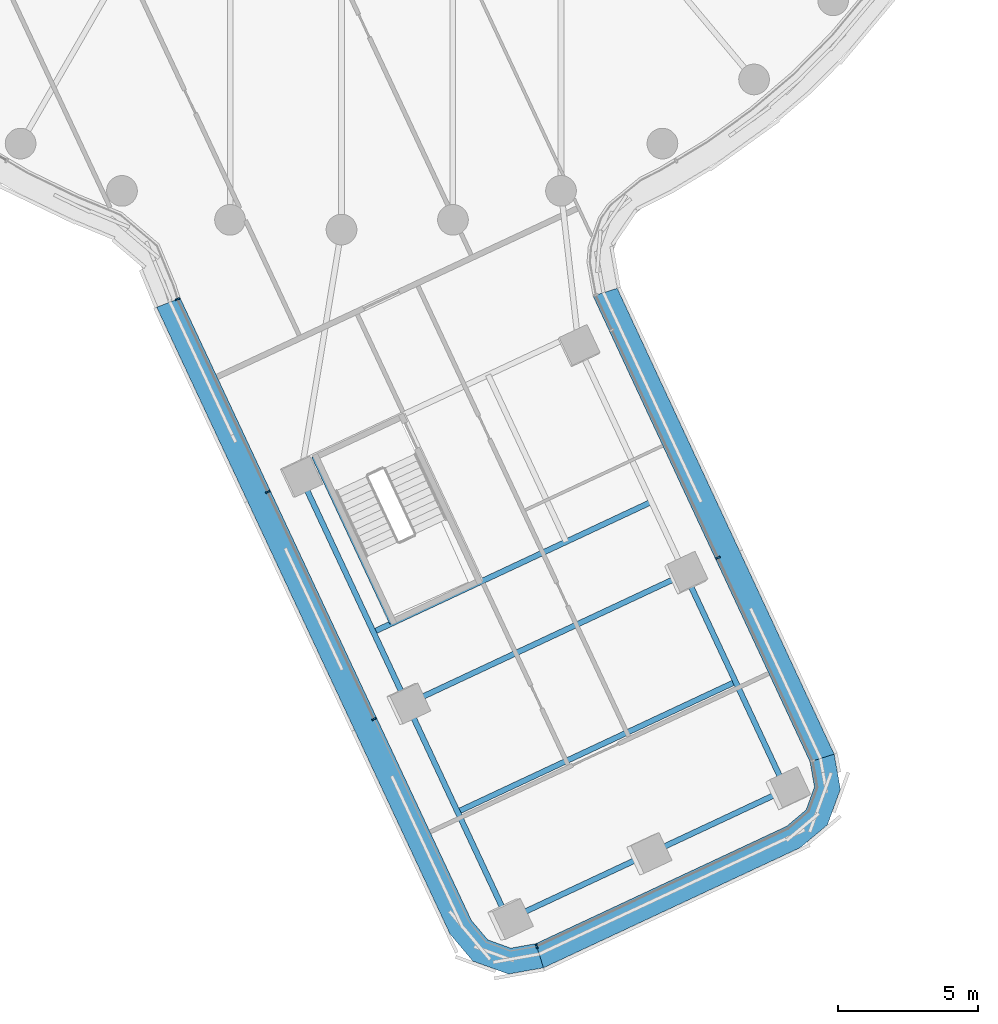
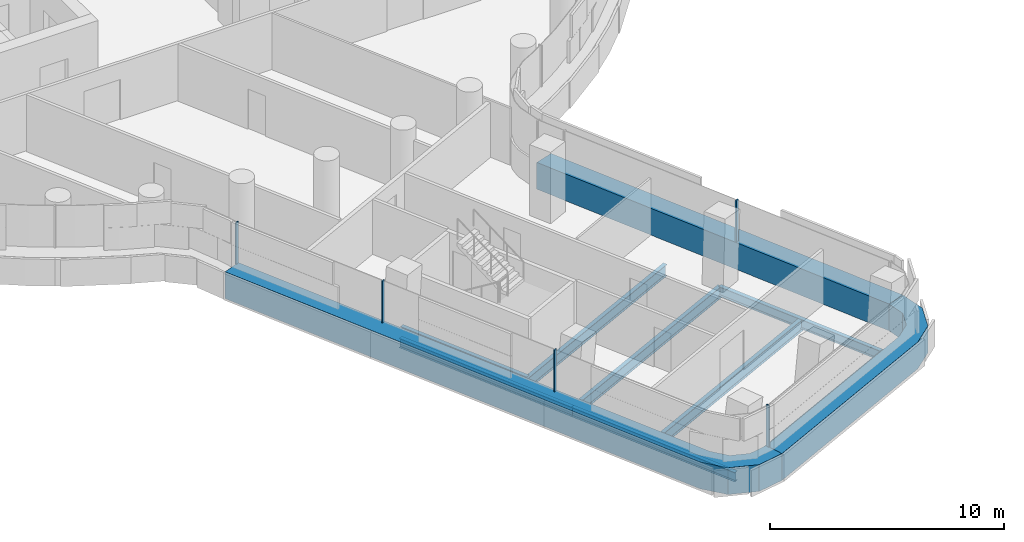
# One storey, part 3 of 36: 9 beams, 8 members, 3 elements without a shape of their own.
"""IFC4 building model written with IfcOpenShell, lengths in metres."""

from ifc_helpers import new_model, si_unit, direction, frame, origin, origin_2d, place, context, subcontext, project, spatial, polyline, rectangle, i_section, outline, extrude, material, layer, layer_set, material_profile, profile_set, type_object, element, aggregate, save


model = new_model("IFC4")

# Units and contexts
model_context = context("Model", 3, precision=1e-05, world=origin(), true_north=direction((0.0, 1.0)))
body_context = subcontext(model_context, "Body", "Model", "MODEL_VIEW")
ifc_project = project(units=[si_unit("LENGTHUNIT", "METRE"), si_unit("AREAUNIT", "SQUARE_METRE"), si_unit("VOLUMEUNIT", "CUBIC_METRE"), si_unit("PLANEANGLEUNIT", "RADIAN"), si_unit("MASSUNIT", "GRAM", prefix="KILO")], contexts=[model_context])

# Site, building, storey
site_placement = place(None, origin())
site = spatial("IfcSite", under=ifc_project, at=site_placement, CompositionType="ELEMENT")
building_placement = place(site_placement, origin())
building = spatial("IfcBuilding", under=site, at=building_placement, Name="Tamarind Cross Interchange Tower", CompositionType="ELEMENT")
storey_placement = place(building_placement, frame((0.0, 0.0, 124.75)))
storey = spatial("IfcBuildingStorey", under=building, at=storey_placement, Name="L30", CompositionType="ELEMENT", Elevation=124.75)

# Beams
ifc_material_1 = material(Name="Steel Q355B", Category="steel")
ifc_material_profile_1 = material_profile(ifc_material_1, i_section(OverallWidth=0.198974609375, OverallDepth=0.49609375, WebThickness=0.009033203125, FlangeThickness=0.013916015625, FilletRadius=0.012939453125, at=origin_2d()), Name="HN 496x199x9x14")
ifc_profile_set_1 = profile_set([ifc_material_profile_1], Name="Steel Q355B")
beam_type_1 = type_object("IfcBeamType", Name="Composite beam HN 496x199x9x14 Q355B", PredefinedType="BEAM", material=ifc_profile_set_1)
beam_1_placement = place(storey_placement, frame((5.966796875, -47.72998046875, -0.387939453125), z_axis=(-0.423785815014, 0.905762431873, 0.0), x_axis=(-0.905762431873, -0.423785815014, 0.0)))
element("IfcBeam", 1, at=beam_1_placement, inside=storey, type_object=beam_type_1, Name="Beam S-edgeem5", PredefinedType="BEAM", context=body_context, shape_type="SweptSolid", body=[
    extrude(i_section(OverallWidth=0.198974609375, OverallDepth=0.49609375, WebThickness=0.009033203125, FlangeThickness=0.013916015625, FilletRadius=0.012939453125, at=origin_2d()), origin(), (0.0, 0.0, 1.0), 8.53369140625),
])
beam_2_placement = place(storey_placement, frame((2.350341796875, -40.00048828125, -0.387939453125), z_axis=(-0.423820799174, 0.90574606275, 0.0), x_axis=(-0.90574606275, -0.423820799174, 0.0)))
element("IfcBeam", 2, at=beam_2_placement, inside=storey, type_object=beam_type_1, Name="Beam S-edgeem6", PredefinedType="BEAM", context=body_context, shape_type="SweptSolid", body=[
    extrude(i_section(OverallWidth=0.198974609375, OverallDepth=0.49609375, WebThickness=0.009033203125, FlangeThickness=0.013916015625, FilletRadius=0.012939453125, at=origin_2d()), origin(), (0.0, 0.0, 1.0), 9.000244140625),
])
beam_3_placement = place(storey_placement, frame((15.93017578125, -43.068115234375, -0.387939453125), z_axis=(-0.423809285609, 0.90575145014, 0.0), x_axis=(-0.90575145014, -0.423809285609, 0.0)))
element("IfcBeam", 3, at=beam_3_placement, inside=storey, type_object=beam_type_1, Name="Beam S-edgeep2", PredefinedType="BEAM", context=body_context, shape_type="SweptSolid", body=[
    extrude(i_section(OverallWidth=0.198974609375, OverallDepth=0.49609375, WebThickness=0.009033203125, FlangeThickness=0.013916015625, FilletRadius=0.012939453125, at=origin_2d()), origin(), (0.0, 0.0, 1.0), 8.53369140625),
])
beam_4_placement = place(storey_placement, frame((-0.975341796875, -31.123291015625, -0.387939453125), z_axis=(0.423802591314, -0.905754582431, 0.0), x_axis=(0.905754582431, 0.423802591314, 0.0)))
element("IfcBeam", 4, at=beam_4_placement, inside=storey, type_object=beam_type_1, Name="Beam S-tr0", PredefinedType="BEAM", context=body_context, shape_type="SweptSolid", body=[
    extrude(i_section(OverallWidth=0.198974609375, OverallDepth=0.49609375, WebThickness=0.009033203125, FlangeThickness=0.013916015625, FilletRadius=0.012939453125, at=origin_2d()), origin(), (0.0, 0.0, 1.0), 6.60009765625),
])
ifc_material_profile_2 = material_profile(ifc_material_1, i_section(OverallWidth=0.199951171875, OverallDepth=0.60009765625, WebThickness=0.010986328125, FlangeThickness=0.01708984375, FilletRadius=0.012939453125, at=origin_2d()), Name="HN 600x200x11x17")
ifc_profile_set_2 = profile_set([ifc_material_profile_2], Name="Steel Q355B")
beam_type_2 = type_object("IfcBeamType", Name="Composite beam HN 600x200x11x17 Q355B", PredefinedType="BEAM", material=ifc_profile_set_2)
for number, where, z_axis, x_axis, name in (
    (5, (5.966796875, -47.72998046875, -0.43994140625), (0.90574606275, 0.423820799174, 0.0), (-0.423820799174, 0.90574606275, 0.0), "Beam S-tip0"),
    (6, (10.948486328125, -45.39892578125, -0.43994140625), (0.905763101907, 0.423784382941, 0.0), (-0.423784382941, 0.905763101907, 0.0), "Beam S-tip1"),
):
    element("IfcBeam", number, at=place(storey_placement, frame(where, z_axis=z_axis, x_axis=x_axis)), inside=storey, type_object=beam_type_2, Name=name, PredefinedType="BEAM", context=body_context, shape_type="SweptSolid", body=[
        extrude(i_section(OverallWidth=0.199951171875, OverallDepth=0.60009765625, WebThickness=0.010986328125, FlangeThickness=0.01708984375, FilletRadius=0.012939453125, at=origin_2d()), origin(), (0.0, 0.0, 1.0), 5.5),
    ])
beam_5_placement = place(storey_placement, frame((1.142333984375, -37.4189453125, -0.43994140625), z_axis=(0.905754582431, 0.423802591314, 0.0), x_axis=(-0.423802591314, 0.905754582431, 0.0)))
element("IfcBeam", 7, at=beam_5_placement, inside=storey, type_object=beam_type_2, Name="Beam S-x364", PredefinedType="BEAM", context=body_context, shape_type="SweptSolid", body=[
    extrude(i_section(OverallWidth=0.199951171875, OverallDepth=0.60009765625, WebThickness=0.010986328125, FlangeThickness=0.01708984375, FilletRadius=0.012939453125, at=origin_2d()), origin(), (0.0, 0.0, 1.0), 11.0),
])
beam_6_placement = place(storey_placement, frame((2.350341796875, -40.00048828125, -0.43994140625), z_axis=(0.905750596, 0.423811111045, 0.0), x_axis=(-0.423811111045, 0.905750596, 0.0)))
element("IfcBeam", 8, at=beam_6_placement, inside=storey, type_object=beam_type_2, Name="Beam S-x393", PredefinedType="BEAM", context=body_context, shape_type="SweptSolid", body=[
    extrude(i_section(OverallWidth=0.199951171875, OverallDepth=0.60009765625, WebThickness=0.010986328125, FlangeThickness=0.01708984375, FilletRadius=0.012939453125, at=origin_2d()), origin(), (0.0, 0.0, 1.0), 10.999755859375),
])
beam_7_placement = place(storey_placement, frame((4.158447265625, -43.865234375, -0.43994140625), z_axis=(0.905754582431, 0.423802591314, 0.0), x_axis=(-0.423802591314, 0.905754582431, 0.0)))
element("IfcBeam", 9, at=beam_7_placement, inside=storey, type_object=beam_type_2, Name="Beam S-x436", PredefinedType="BEAM", context=body_context, shape_type="SweptSolid", body=[
    extrude(i_section(OverallWidth=0.199951171875, OverallDepth=0.60009765625, WebThickness=0.010986328125, FlangeThickness=0.01708984375, FilletRadius=0.012939453125, at=origin_2d()), origin(), (0.0, 0.0, 1.0), 11.0),
])

# Curtain wall, member
ifc_material_2 = material(Name="Aluminium 6063-T6", Category="aluminium")
ifc_layer = layer(ifc_material_2, 0.159912109375)
ifc_layer_set = layer_set([ifc_layer], Name="Aluminium 6063-T6")
curtain_wall_type = type_object("IfcCurtainWallType", Name="Office curtain wall, 9.0 m bays", PredefinedType="NOTDEFINED", material=ifc_layer_set)
curtain_wall_1_placement = place(storey_placement, origin())
curtain_wall_1 = element("IfcCurtainWall", 10, at=curtain_wall_1_placement, inside=storey, type_object=curtain_wall_type, Name="CWS-L30-03", PredefinedType="NOTDEFINED")
ifc_material_3 = material(Name="Aluminium and insulated spandrel panel", Category="aluminium")
member_type_1 = type_object("IfcMemberType", Name="Floor-edge blade transom", PredefinedType="USERDEFINED", material=ifc_material_3)
member_1_placement = place(storey_placement, origin())
member_1 = element("IfcMember", 11, at=member_1_placement, type_object=member_type_1, Name="CWT-L30-03", ObjectType="TRANSOM", PredefinedType="USERDEFINED", context=body_context, shape_type="SweptSolid", body=[
    extrude(outline(polyline([(-5.78125, -25.45361328125), (4.6513671875, -47.749755859375), (5.24072265625, -48.4501953125), (6.062744140625, -48.748291015625), (6.964111328125, -48.588134765625), (7.23828125, -49.45361328125), (5.98291015625, -49.676513671875), (4.707275390625, -49.214111328125), (3.886474609375, -48.238525390625), (-6.621337890625, -25.781494140625), (-5.78125, -25.45361328125)])), origin(), (0.0, 0.0, 1.0), 1.39990234375),
])

curtain_wall_2_placement = place(storey_placement, origin())
curtain_wall_2 = element("IfcCurtainWall", 12, at=curtain_wall_2_placement, inside=storey, type_object=curtain_wall_type, Name="CWS-L30-04", PredefinedType="NOTDEFINED")
member_2_placement = place(storey_placement, origin())
member_2 = element("IfcMember", 13, at=member_2_placement, type_object=member_type_1, Name="CWT-L30-04", ObjectType="TRANSOM", PredefinedType="USERDEFINED", context=body_context, shape_type="SweptSolid", body=[
    extrude(outline(polyline([(6.964111328125, -48.588134765625), (15.9501953125, -44.383544921875), (16.650634765625, -43.794189453125), (16.948486328125, -42.97216796875), (16.788330078125, -42.070556640625), (17.65380859375, -41.79736328125), (17.876953125, -43.052001953125), (17.41455078125, -44.32763671875), (16.438720703125, -45.1484375), (7.23828125, -49.45361328125), (6.964111328125, -48.588134765625)])), origin(), (0.0, 0.0, 1.0), 1.39990234375),
])

curtain_wall_3_placement = place(storey_placement, origin())
curtain_wall_3 = element("IfcCurtainWall", 14, at=curtain_wall_3_placement, inside=storey, type_object=curtain_wall_type, Name="CWS-L30-05", PredefinedType="NOTDEFINED")
member_3_placement = place(storey_placement, origin())
member_3 = element("IfcMember", 15, at=member_3_placement, type_object=member_type_1, Name="CWT-L30-05", ObjectType="TRANSOM", PredefinedType="USERDEFINED", context=body_context, shape_type="SweptSolid", body=[
    extrude(outline(polyline([(16.788330078125, -42.070556640625), (9.0146484375, -25.378662109375), (9.879638671875, -25.10400390625), (17.65380859375, -41.79736328125), (16.788330078125, -42.070556640625)])), origin(), (0.0, 0.0, 1.0), 1.39990234375),
])

# Member
ifc_material_profile_3 = material_profile(ifc_material_2, rectangle(XDim=0.06005859375, YDim=0.159912109375, at=origin_2d()), Name="Mullion CW1")
ifc_profile_set_3 = profile_set([ifc_material_profile_3], Name="Aluminium 6063-T6")
member_type_2 = type_object("IfcMemberType", Name="Mullion CW1", PredefinedType="MULLION", material=ifc_profile_set_3)
member_4_placement = place(storey_placement, frame((-5.87451171875, -25.489990234375, 1.39990234375), z_axis=(0.0, 0.0, 1.0), x_axis=(0.36366097453, -0.93153137124, 0.0)))
member_4 = element("IfcMember", 16, at=member_4_placement, type_object=member_type_2, Name="CWM-L30-03-00", PredefinedType="MULLION", context=body_context, shape_type="SweptSolid", body=[
    extrude(rectangle(XDim=0.06005859375, YDim=0.159912109375, at=origin_2d()), origin(), (0.0, 0.0, 1.0), 2.170166015625),
])

member_5_placement = place(storey_placement, frame((-2.64111328125, -32.400390625, 1.39990234375), z_axis=(0.0, 0.0, 1.0), x_axis=(0.423807415123, -0.905752325355, 0.0)))
member_5 = element("IfcMember", 17, at=member_5_placement, type_object=member_type_2, Name="CWM-L30-03-01", PredefinedType="MULLION", context=body_context, shape_type="SweptSolid", body=[
    extrude(rectangle(XDim=0.06005859375, YDim=0.159912109375, at=origin_2d()), origin(), (0.0, 0.0, 1.0), 2.170166015625),
])

member_6_placement = place(storey_placement, frame((1.1669921875, -40.539306640625, 1.39990234375), z_axis=(0.0, 0.0, 1.0), x_axis=(0.423807415123, -0.905752325355, 0.0)))
member_6 = element("IfcMember", 18, at=member_6_placement, type_object=member_type_2, Name="CWM-L30-03-02", PredefinedType="MULLION", context=body_context, shape_type="SweptSolid", body=[
    extrude(rectangle(XDim=0.06005859375, YDim=0.159912109375, at=origin_2d()), origin(), (0.0, 0.0, 1.0), 2.170166015625),
])

aggregate(curtain_wall_1, [member_4, member_5, member_6, member_1])

member_7_placement = place(storey_placement, frame((6.99462890625, -48.684326171875, 1.39990234375), z_axis=(0.0, 0.0, 1.0), x_axis=(0.953321456782, 0.301957281813, 0.0)))
member_7 = element("IfcMember", 19, at=member_7_placement, type_object=member_type_2, Name="CWM-L30-04-00", PredefinedType="MULLION", context=body_context, shape_type="SweptSolid", body=[
    extrude(rectangle(XDim=0.06005859375, YDim=0.159912109375, at=origin_2d()), origin(), (0.0, 0.0, 1.0), 2.170166015625),
])

aggregate(curtain_wall_2, [member_7, member_2])

member_8_placement = place(storey_placement, frame((13.492919921875, -34.757568359375, 1.39990234375), z_axis=(0.0, 0.0, 1.0), x_axis=(-0.422173554282, 0.906515024732, 0.0)))
member_8 = element("IfcMember", 20, at=member_8_placement, type_object=member_type_2, Name="CWM-L30-05-01", PredefinedType="MULLION", context=body_context, shape_type="SweptSolid", body=[
    extrude(rectangle(XDim=0.06005859375, YDim=0.159912109375, at=origin_2d()), origin(), (0.0, 0.0, 1.0), 2.170166015625),
])

aggregate(curtain_wall_3, [member_8, member_3])

save(model, "model.ifc")
